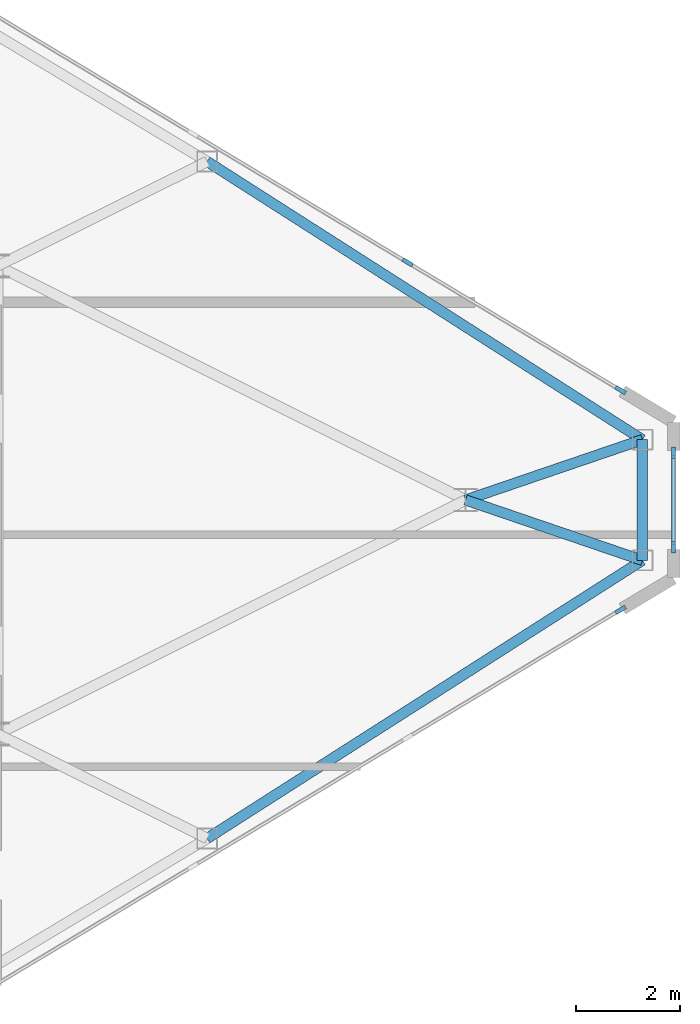
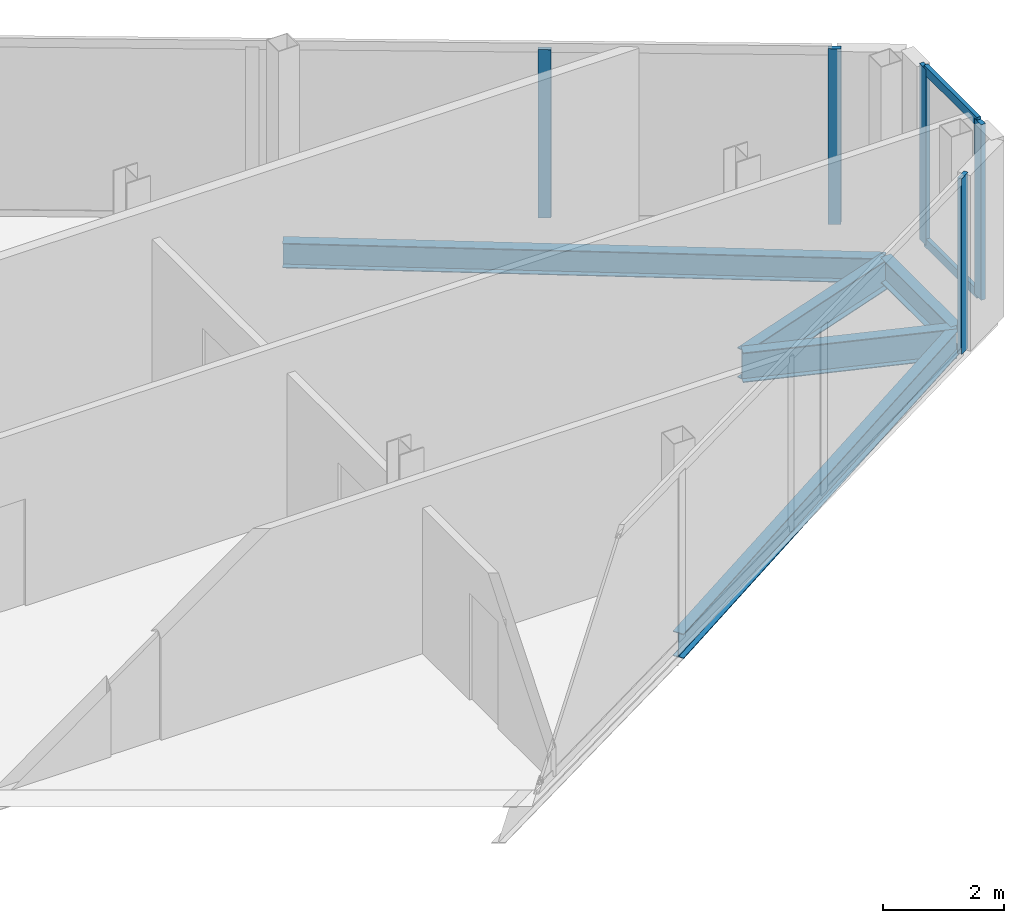
# One storey, part 18 of 28: 7 members, 5 beams, 3 elements without a shape of their own.
"""IFC4 building model written with IfcOpenShell, lengths in metres."""

from ifc_helpers import new_model, si_unit, direction, frame, origin, origin_2d, place, context, subcontext, project, spatial, rectangle, i_section, extrude, source, transform, mapped, material, layer, layer_set, material_profile, profile_set, type_object, type_shapes, element, aggregate, save


model = new_model("IFC4")

# Units and contexts
model_context = context("Model", 3, precision=1e-05, world=origin(), true_north=direction((0.0, 1.0)))
body_context = subcontext(model_context, "Body", "Model", "MODEL_VIEW")
ifc_project = project(units=[si_unit("LENGTHUNIT", "METRE"), si_unit("AREAUNIT", "SQUARE_METRE"), si_unit("VOLUMEUNIT", "CUBIC_METRE"), si_unit("PLANEANGLEUNIT", "RADIAN"), si_unit("MASSUNIT", "GRAM", prefix="KILO")], contexts=[model_context])

# Site, building, storey
site_placement = place(None, origin())
site = spatial("IfcSite", under=ifc_project, at=site_placement, CompositionType="ELEMENT")
building_placement = place(site_placement, origin())
building = spatial("IfcBuilding", under=site, at=building_placement, Name="Seokmaru Belvedere", CompositionType="ELEMENT")
storey_placement = place(building_placement, frame((0.0, 0.0, 261.89990234375)))
storey = spatial("IfcBuildingStorey", under=building, at=storey_placement, Name="L69", CompositionType="ELEMENT", Elevation=261.89990234375)

# Beams
ifc_material_1 = material(Name="Steel SM355 (355 MPa)", Category="steel")
ifc_material_profile_1 = material_profile(ifc_material_1, i_section(OverallWidth=0.199951171875, OverallDepth=0.5, WebThickness=0.010009765625, FlangeThickness=0.01611328125, at=origin_2d()), Name="H-500x200x10x16")
ifc_profile_set_1 = profile_set([ifc_material_profile_1], Name="Steel SM355 (355 MPa)")
beam_type_1 = type_object("IfcBeamType", Name="Perimeter Spandrel Beam H-500", PredefinedType="SPANDREL", material=ifc_profile_set_1)
shared_shape_1 = source(origin(), body_context, "Body", "SweptSolid", [
    extrude(i_section(OverallWidth=0.199951171875, OverallDepth=0.5, WebThickness=0.010009765625, FlangeThickness=0.01611328125, at=origin_2d()), origin(), (0.0, 0.0, 1.0), 9.932861328125),
])
for number, where, z_axis, x_axis, name in (
    (1, (58.530029296875, -6.5087890625, -0.469970703125), (0.842651960357, 0.538458609093, 0.0), (-0.538458609093, 0.842651960357, 0.0), "L69 E Faceted Flank Spandrel S-4"),
    (2, (58.530029296875, 6.5087890625, -0.469970703125), (0.842651960357, -0.538458609093, 0.0), (0.538458609093, 0.842651960357, 0.0), "L69 E Faceted Flank Spandrel N-4"),
):
    element("IfcBeam", number, at=place(storey_placement, frame(where, z_axis=z_axis, x_axis=x_axis)), inside=storey, type_object=beam_type_1, Name=name, PredefinedType="SPANDREL", context=body_context, shape_type="MappedRepresentation", body=[
        mapped(shared_shape_1, transform((0.0, 0.0, 0.0), scale=1.0)),
    ])
shared_shape_2 = source(origin(), body_context, "Body", "SweptSolid", [
    extrude(i_section(OverallWidth=0.199951171875, OverallDepth=0.5, WebThickness=0.010009765625, FlangeThickness=0.01611328125, at=origin_2d()), origin(), (0.0, 0.0, 1.0), 2.32080078125),
])
type_shapes(beam_type_1, [shared_shape_1, shared_shape_2])
beam_placement = place(storey_placement, frame((66.89990234375, -1.160400390625, -0.469970703125), z_axis=(0.0, 1.0, 0.0), x_axis=(-1.0, 0.0, 0.0)))
element("IfcBeam", 3, at=beam_placement, inside=storey, type_object=beam_type_1, Name="L69 E Faceted Apex Spandrel", PredefinedType="SPANDREL", context=body_context, shape_type="MappedRepresentation", body=[
    mapped(shared_shape_2, transform((0.0, 0.0, 0.0), scale=1.0)),
])
ifc_material_profile_2 = material_profile(ifc_material_1, i_section(OverallWidth=0.199951171875, OverallDepth=0.60009765625, WebThickness=0.010986328125, FlangeThickness=0.01708984375, at=origin_2d()), Name="H-600x200x11x17")
ifc_profile_set_2 = profile_set([ifc_material_profile_2], Name="Steel SM355 (355 MPa)")
beam_type_2 = type_object("IfcBeamType", Name="Primary Floor Girder H-600", PredefinedType="BEAM", material=ifc_profile_set_2)
shared_shape_3 = source(origin(), body_context, "Body", "SweptSolid", [
    extrude(i_section(OverallWidth=0.199951171875, OverallDepth=0.60009765625, WebThickness=0.010986328125, FlangeThickness=0.01708984375, at=origin_2d()), origin(), (0.0, 0.0, 1.0), 3.592529296875),
])
type_shapes(beam_type_2, [shared_shape_3])
for number, where, z_axis, x_axis, name in (
    (4, (66.89990234375, -1.160400390625, -0.52001953125), (-0.946395973048, 0.323008764893, 0.0), (-0.323008764893, -0.946395973048, 0.0), "L69 E Apex Radial Floor Girder 1"),
    (5, (66.89990234375, 1.160400390625, -0.52001953125), (-0.946395973048, -0.323008764893, 0.0), (0.323008764893, -0.946395973048, 0.0), "L69 E Apex Radial Floor Girder 2"),
):
    element("IfcBeam", number, at=place(storey_placement, frame(where, z_axis=z_axis, x_axis=x_axis)), inside=storey, type_object=beam_type_2, Name=name, PredefinedType="BEAM", context=body_context, shape_type="MappedRepresentation", body=[
        mapped(shared_shape_3, transform((0.0, 0.0, 0.0), scale=1.0)),
    ])

# Curtain wall, members
ifc_material_2 = material(Name="Bronze Triple Insulating Glass", Category="glass")
ifc_layer = layer(ifc_material_2, 0.219970703125)
ifc_layer_set = layer_set([ifc_layer], Name="Bronze Triple Insulating Glass")
curtain_wall_type = type_object("IfcCurtainWallType", Name="Sky-Gate Bridge Panorama Curtain Wall System CW-6", PredefinedType="NOTDEFINED", material=ifc_layer_set)
curtain_wall_1_placement = place(storey_placement, origin())
curtain_wall_1 = element("IfcCurtainWall", 6, at=curtain_wall_1_placement, inside=storey, type_object=curtain_wall_type, Name="L69 Curtain Wall EF2", PredefinedType="NOTDEFINED")
ifc_material_3 = material(Name="Anodised Bronze Aluminium", Category="aluminium")
ifc_material_profile_3 = material_profile(ifc_material_3, rectangle(XDim=0.074951171875, YDim=0.179931640625, at=origin_2d()), Name="CW-T-75x180")
ifc_profile_set_3 = profile_set([ifc_material_profile_3], Name="Anodised Bronze Aluminium")
member_type_1 = type_object("IfcMemberType", Name="Bronze Unitised Transom 75x180", PredefinedType="USERDEFINED", material=ifc_profile_set_3)
shared_shape_4 = source(origin(), body_context, "Body", "SweptSolid", [
    extrude(rectangle(XDim=0.074951171875, YDim=0.179931640625, at=origin_2d()), origin(), (0.0, 0.0, 1.0), 1.740234375),
])
type_shapes(member_type_1, [shared_shape_4])
member_1_placement = place(storey_placement, frame((67.5, -0.8701171875, 0.03759765625), z_axis=(0.0, 1.0, 0.0), x_axis=(-1.0, 0.0, 0.0)))
member_1 = element("IfcMember", 7, at=member_1_placement, type_object=member_type_1, Name="CW:L69:EF2 Continuous Transom 1", ObjectType="TRANSOM", PredefinedType="USERDEFINED", context=body_context, shape_type="MappedRepresentation", body=[
    mapped(shared_shape_4, transform((0.0, 0.0, 0.0), scale=1.0)),
])
member_2_placement = place(storey_placement, frame((67.5, -0.8701171875, 3.49267578125), z_axis=(0.0, 1.0, 0.0), x_axis=(-1.0, 0.0, 0.0)))
member_2 = element("IfcMember", 8, at=member_2_placement, type_object=member_type_1, Name="CW:L69:EF2 Continuous Transom 2", ObjectType="TRANSOM", PredefinedType="USERDEFINED", context=body_context, shape_type="MappedRepresentation", body=[
    mapped(shared_shape_4, transform((0.0, 0.0, 0.0), scale=1.0)),
])

# Curtain wall, member
curtain_wall_2_placement = place(storey_placement, origin())
curtain_wall_2 = element("IfcCurtainWall", 9, at=curtain_wall_2_placement, inside=storey, type_object=curtain_wall_type, Name="L69 Curtain Wall EF1", PredefinedType="NOTDEFINED")
ifc_material_profile_4 = material_profile(ifc_material_3, rectangle(XDim=0.080078125, YDim=0.219970703125, at=origin_2d()), Name="CW-M-80x220")
ifc_profile_set_4 = profile_set([ifc_material_profile_4], Name="Anodised Bronze Aluminium")
member_type_2 = type_object("IfcMemberType", Name="Bronze Unitised Mullion 80x220", PredefinedType="MULLION", material=ifc_profile_set_4)
shared_shape_5 = source(origin(), body_context, "Body", "SweptSolid", [
    extrude(rectangle(XDim=0.080078125, YDim=0.219970703125, at=origin_2d()), origin(), (0.0, 0.0, 1.0), 3.530029296875),
])
member_3_placement = place(storey_placement, frame((66.4794921875, -2.1123046875, 0.0), z_axis=(0.0, 0.0, 1.0), x_axis=(-0.514494909364, 0.85749343335, 0.0)))
member_3 = element("IfcMember", 10, at=member_3_placement, type_object=member_type_2, Name="CW:L69:EF1 Mullion 9", PredefinedType="MULLION", context=body_context, shape_type="MappedRepresentation", body=[
    mapped(shared_shape_5, transform((0.0, 0.0, 0.0), scale=1.0)),
])
aggregate(curtain_wall_2, [member_3])

# Member
member_4_placement = place(storey_placement, frame((67.5, -0.909912109375, 0.0), z_axis=(0.0, 0.0, 1.0), x_axis=(-1.0, 0.0, 0.0)))
member_4 = element("IfcMember", 11, at=member_4_placement, type_object=member_type_2, Name="CW:L69:EF2 Mullion 1", PredefinedType="MULLION", context=body_context, shape_type="MappedRepresentation", body=[
    mapped(shared_shape_5, transform((0.0, 0.0, 0.0), scale=1.0)),
])

member_5_placement = place(storey_placement, frame((67.5, 0.909912109375, 0.0), z_axis=(0.0, 0.0, 1.0), x_axis=(-1.0, 0.0, 0.0)))
member_5 = element("IfcMember", 12, at=member_5_placement, type_object=member_type_2, Name="CW:L69:EF2 Mullion 2", PredefinedType="MULLION", context=body_context, shape_type="MappedRepresentation", body=[
    mapped(shared_shape_5, transform((0.0, 0.0, 0.0), scale=1.0)),
])

aggregate(curtain_wall_1, [member_4, member_5, member_1, member_2])

# Curtain wall, members
curtain_wall_3_placement = place(storey_placement, origin())
curtain_wall_3 = element("IfcCurtainWall", 13, at=curtain_wall_3_placement, inside=storey, type_object=curtain_wall_type, Name="L69 Curtain Wall EF3", PredefinedType="NOTDEFINED")
member_6_placement = place(storey_placement, frame((66.4794921875, 2.1123046875, 0.0), z_axis=(0.0, 0.0, 1.0), x_axis=(-0.514494909364, -0.85749343335, 0.0)))
member_6 = element("IfcMember", 14, at=member_6_placement, type_object=member_type_2, Name="CW:L69:EF3 Mullion 1", PredefinedType="MULLION", context=body_context, shape_type="MappedRepresentation", body=[
    mapped(shared_shape_5, transform((0.0, 0.0, 0.0), scale=1.0)),
])
shared_shape_6 = source(origin(), body_context, "Body", "SweptSolid", [
    extrude(rectangle(XDim=0.080078125, YDim=0.219970703125, at=origin_2d()), origin(), (0.0, 0.0, 1.0), 3.3798828125),
])
type_shapes(member_type_2, [shared_shape_5, shared_shape_6])
member_7_placement = place(storey_placement, frame((62.385498046875, 4.56884765625, 0.0751953125), z_axis=(0.0, 0.0, 1.0), x_axis=(-0.514494909364, -0.85749343335, 0.0)))
member_7 = element("IfcMember", 15, at=member_7_placement, type_object=member_type_2, Name="CW:L69:EF3 Mullion 2", PredefinedType="MULLION", context=body_context, shape_type="MappedRepresentation", body=[
    mapped(shared_shape_6, transform((0.0, 0.0, 0.0), scale=1.0)),
])
aggregate(curtain_wall_3, [member_6, member_7])

save(model, "model.ifc")
